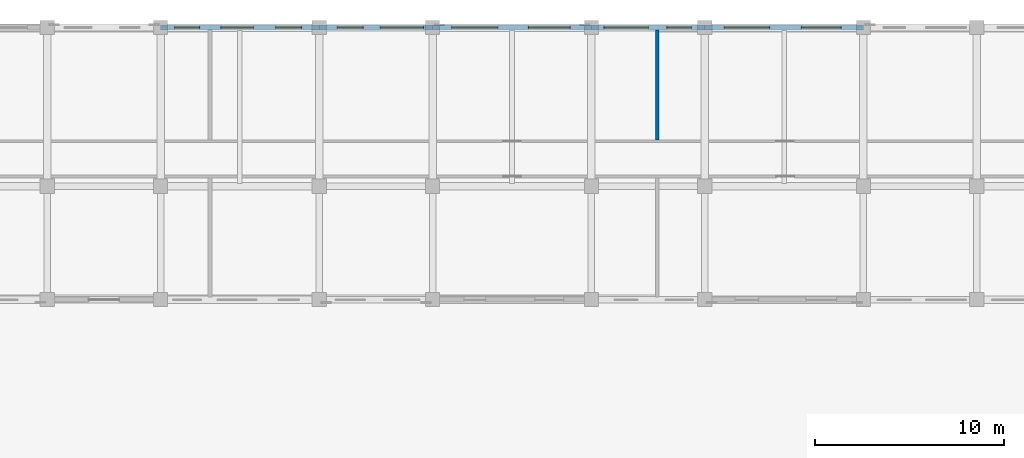
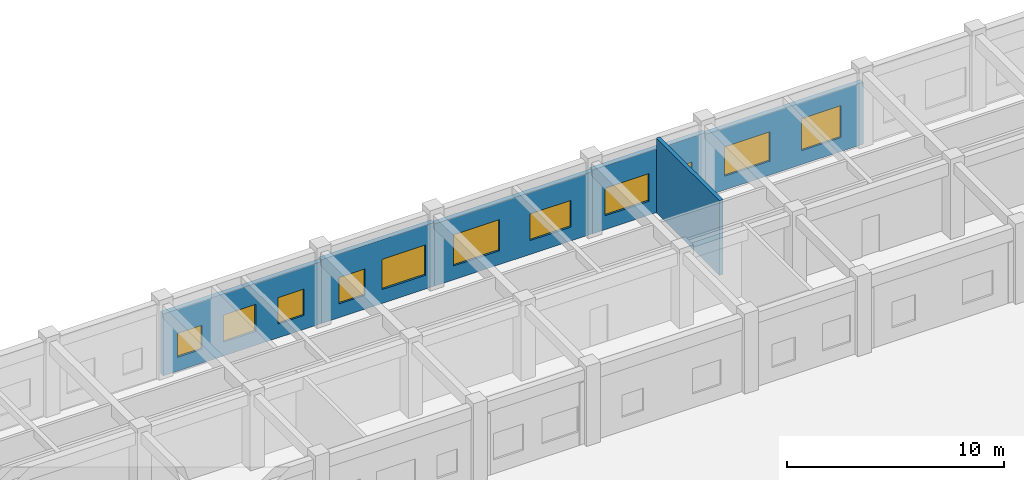
# One storey, part 41 of 67: 11 windows, 6 walls, 11 openings.
"""IFC4 building model written with IfcOpenShell, lengths in metres."""

from ifc_helpers import new_model, si_unit, direction, frame, frame_2d, origin, place, context, subcontext, project, spatial, rectangle, extrude, material, layer, layer_set, type_object, element, fill, save


model = new_model("IFC4")

# Units and contexts
model_context = context("Model", 3, precision=1e-05, world=origin(), true_north=direction((0.0, 1.0)))
body_context = subcontext(model_context, "Body", "Model", "MODEL_VIEW")
ifc_project = project(units=[si_unit("LENGTHUNIT", "METRE"), si_unit("AREAUNIT", "SQUARE_METRE"), si_unit("VOLUMEUNIT", "CUBIC_METRE"), si_unit("PLANEANGLEUNIT", "RADIAN"), si_unit("MASSUNIT", "GRAM", prefix="KILO"), si_unit("THERMODYNAMICTEMPERATUREUNIT", "KELVIN")], contexts=[model_context])

# Site, building, storey
site_placement = place(None, origin())
site = spatial("IfcSite", under=ifc_project, at=site_placement, CompositionType="ELEMENT")
building_placement = place(site_placement, origin())
building = spatial("IfcBuilding", under=site, at=building_placement, Name="Thalorik Housing Commons", CompositionType="ELEMENT")
storey_placement = place(building_placement, origin())
storey = spatial("IfcBuildingStorey", under=building, at=storey_placement, Name="L00", CompositionType="ELEMENT", Elevation=0.0)

# Wall, openings, windows
ifc_material_1 = material(Name="White precast concrete C40/50", Category="concrete")
ifc_layer_1 = layer(ifc_material_1, 0.2548828125, Name="White precast concrete C40/50", Category="concrete")
ifc_layer_set_1 = layer_set([ifc_layer_1], Name="White precast concrete C40/50")
wall_type_1 = type_object("IfcWallType", Name="ARC-WAL-EXT-255", PredefinedType="STANDARD", material=ifc_layer_set_1)
wall_1_placement = place(storey_placement, frame((138.0, 123.60009765625, 0.0), z_axis=(0.0, 0.0, 1.0), x_axis=(-1.0, 0.0, 0.0)))
wall_1 = element("IfcWall", 1, at=wall_1_placement, inside=storey, type_object=wall_type_1, Name="L00 Exterior Wall WAL-EXT-L00-B-0376", PredefinedType="STANDARD", context=body_context, shape_type="SweptSolid", body=[
    extrude(rectangle(XDim=8.39990234375, YDim=0.2548828125, at=frame_2d((4.199951171875, 0.0))), origin(), (0.0, 0.0, 1.0), 3.485107421875),
])
opening_1_placement = place(wall_1_placement, frame((1.179931640625, 0.0, 0.780029296875)))
opening_1 = element("IfcOpeningElement", 2, at=opening_1_placement, cuts=wall_1, Name="Opening W-27", PredefinedType="OPENING", context=body_context, shape_type="SweptSolid", body=[
    extrude(rectangle(XDim=2.10009765625, YDim=1.800048828125, at=frame_2d((1.050048828125, 0.89990234375))), frame((0.0, 0.137451171875, 0.0), z_axis=(0.0, -1.0, 0.0), x_axis=(1.0, 0.0, 0.0)), (0.0, 0.0, 1.0), 0.27490234375),
])
opening_2_placement = place(wall_1_placement, frame((4.969970703125, 0.0, 0.780029296875)))
opening_2 = element("IfcOpeningElement", 3, at=opening_2_placement, cuts=wall_1, Name="Opening W-34", PredefinedType="OPENING", context=body_context, shape_type="SweptSolid", body=[
    extrude(rectangle(XDim=2.39990234375, YDim=1.64990234375, at=frame_2d((1.199951171875, 0.824951171875))), frame((0.0, 0.137451171875, 0.0), z_axis=(0.0, -1.0, 0.0), x_axis=(1.0, 0.0, 0.0)), (0.0, 0.0, 1.0), 0.27490234375),
])
ifc_material_2 = material(Name="Anodised aluminium and solar-control low-E glass", Category="aluminium")
window_type_1 = type_object("IfcWindowType", Name="ARC-WIN-27", PartitioningType="DOUBLE_PANEL_VERTICAL", PredefinedType="WINDOW", material=ifc_material_2)
window_1_placement = place(opening_1_placement, origin())
window_1 = element("IfcWindow", 4, at=window_1_placement, inside=storey, type_object=window_type_1, Name="L00 Facade Window 665", OverallHeight=1.800048828125, OverallWidth=2.10009765625, PartitioningType="DOUBLE_PANEL_VERTICAL", PredefinedType="WINDOW", context=body_context, shape_type="SweptSolid", body=[
    extrude(rectangle(XDim=2.10009765625, YDim=1.800048828125, at=frame_2d((1.050048828125, 0.89990234375))), frame((0.0, 0.030029296875, 0.0), z_axis=(0.0, -1.0, 0.0), x_axis=(1.0, 0.0, 0.0)), (0.0, 0.0, 1.0), 0.06005859375),
])
fill(opening_1, window_1)
window_type_2 = type_object("IfcWindowType", Name="ARC-WIN-34", PartitioningType="DOUBLE_PANEL_VERTICAL", PredefinedType="WINDOW", material=ifc_material_2)
window_2_placement = place(opening_2_placement, origin())
window_2 = element("IfcWindow", 5, at=window_2_placement, inside=storey, type_object=window_type_2, Name="L00 Facade Window 666", OverallHeight=1.64990234375, OverallWidth=2.39990234375, PartitioningType="DOUBLE_PANEL_VERTICAL", PredefinedType="WINDOW", context=body_context, shape_type="SweptSolid", body=[
    extrude(rectangle(XDim=2.39990234375, YDim=1.64990234375, at=frame_2d((1.199951171875, 0.824951171875))), frame((0.0, 0.030029296875, 0.0), z_axis=(0.0, -1.0, 0.0), x_axis=(1.0, 0.0, 0.0)), (0.0, 0.0, 1.0), 0.06005859375),
])
fill(opening_2, window_2)

wall_2_placement = place(storey_placement, frame((129.60009765625, 123.60009765625, 0.0), z_axis=(0.0, 0.0, 1.0), x_axis=(-1.0, 0.0, 0.0)))
wall_2 = element("IfcWall", 6, at=wall_2_placement, inside=storey, type_object=wall_type_1, Name="L00 Exterior Wall WAL-EXT-L00-B-0377", PredefinedType="STANDARD", context=body_context, shape_type="SweptSolid", body=[
    extrude(rectangle(XDim=6.0, YDim=0.2548828125, at=frame_2d((3.0, 0.0))), origin(), (0.0, 0.0, 1.0), 3.5849609375),
])
opening_3_placement = place(wall_2_placement, frame((0.699951171875, 0.0, 0.780029296875)))
opening_3 = element("IfcOpeningElement", 7, at=opening_3_placement, cuts=wall_2, Name="Opening W-06", PredefinedType="OPENING", context=body_context, shape_type="SweptSolid", body=[
    extrude(rectangle(XDim=1.300048828125, YDim=1.39990234375, at=frame_2d((0.64990234375, 0.699951171875))), frame((0.0, 0.137451171875, 0.0), z_axis=(0.0, -1.0, 0.0), x_axis=(1.0, 0.0, 0.0)), (0.0, 0.0, 1.0), 0.27490234375),
])
opening_4_placement = place(wall_2_placement, frame((2.985107421875, 0.0, 0.780029296875)))
opening_4 = element("IfcOpeningElement", 8, at=opening_4_placement, cuts=wall_2, Name="Opening W-33", PredefinedType="OPENING", context=body_context, shape_type="SweptSolid", body=[
    extrude(rectangle(XDim=2.35009765625, YDim=1.550048828125, at=frame_2d((1.175048828125, 0.77490234375))), frame((0.0, 0.137451171875, 0.0), z_axis=(0.0, -1.0, 0.0), x_axis=(1.0, 0.0, 0.0)), (0.0, 0.0, 1.0), 0.27490234375),
])
window_type_3 = type_object("IfcWindowType", Name="ARC-WIN-06", PartitioningType="SINGLE_PANEL", PredefinedType="WINDOW", material=ifc_material_2)
window_3_placement = place(opening_3_placement, origin())
window_3 = element("IfcWindow", 9, at=window_3_placement, inside=storey, type_object=window_type_3, Name="L00 Facade Window 667", OverallHeight=1.39990234375, OverallWidth=1.300048828125, PartitioningType="SINGLE_PANEL", PredefinedType="WINDOW", context=body_context, shape_type="SweptSolid", body=[
    extrude(rectangle(XDim=1.300048828125, YDim=1.39990234375, at=frame_2d((0.64990234375, 0.699951171875))), frame((0.0, 0.030029296875, 0.0), z_axis=(0.0, -1.0, 0.0), x_axis=(1.0, 0.0, 0.0)), (0.0, 0.0, 1.0), 0.06005859375),
])
fill(opening_3, window_3)
window_type_4 = type_object("IfcWindowType", Name="ARC-WIN-33", PartitioningType="DOUBLE_PANEL_VERTICAL", PredefinedType="WINDOW", material=ifc_material_2)
window_4_placement = place(opening_4_placement, origin())
window_4 = element("IfcWindow", 10, at=window_4_placement, inside=storey, type_object=window_type_4, Name="L00 Facade Window 668", OverallHeight=1.550048828125, OverallWidth=2.35009765625, PartitioningType="DOUBLE_PANEL_VERTICAL", PredefinedType="WINDOW", context=body_context, shape_type="SweptSolid", body=[
    extrude(rectangle(XDim=2.35009765625, YDim=1.550048828125, at=frame_2d((1.175048828125, 0.77490234375))), frame((0.0, 0.030029296875, 0.0), z_axis=(0.0, -1.0, 0.0), x_axis=(1.0, 0.0, 0.0)), (0.0, 0.0, 1.0), 0.06005859375),
])
fill(opening_4, window_4)

wall_3_placement = place(storey_placement, frame((123.60009765625, 123.60009765625, 0.0), z_axis=(0.0, 0.0, 1.0), x_axis=(-1.0, 0.0, 0.0)))
wall_3 = element("IfcWall", 11, at=wall_3_placement, inside=storey, type_object=wall_type_1, Name="L00 Exterior Wall WAL-EXT-L00-B-0378", PredefinedType="STANDARD", context=body_context, shape_type="SweptSolid", body=[
    extrude(rectangle(XDim=8.400146484375, YDim=0.2548828125, at=frame_2d((4.2001953125, 0.0))), origin(), (0.0, 0.0, 1.0), 3.485107421875),
])
opening_5_placement = place(wall_3_placement, frame((1.1298828125, 0.0, 0.780029296875)))
opening_5 = element("IfcOpeningElement", 12, at=opening_5_placement, cuts=wall_3, Name="Opening W-29", PredefinedType="OPENING", context=body_context, shape_type="SweptSolid", body=[
    extrude(rectangle(XDim=2.199951171875, YDim=1.5, at=frame_2d((1.10009765625, 0.75))), frame((0.0, 0.137451171875, 0.0), z_axis=(0.0, -1.0, 0.0), x_axis=(1.0, 0.0, 0.0)), (0.0, 0.0, 1.0), 0.27490234375),
])
opening_6_placement = place(wall_3_placement, frame((4.945068359375, 0.0, 0.780029296875)))
opening_6 = element("IfcOpeningElement", 13, at=opening_6_placement, cuts=wall_3, Name="Opening W-36", PredefinedType="OPENING", context=body_context, shape_type="SweptSolid", body=[
    extrude(rectangle(XDim=2.449951171875, YDim=1.75, at=frame_2d((1.22509765625, 0.875))), frame((0.0, 0.137451171875, 0.0), z_axis=(0.0, -1.0, 0.0), x_axis=(1.0, 0.0, 0.0)), (0.0, 0.0, 1.0), 0.27490234375),
])
window_type_5 = type_object("IfcWindowType", Name="ARC-WIN-29", PartitioningType="DOUBLE_PANEL_VERTICAL", PredefinedType="WINDOW", material=ifc_material_2)
window_5_placement = place(opening_5_placement, origin())
window_5 = element("IfcWindow", 14, at=window_5_placement, inside=storey, type_object=window_type_5, Name="L00 Facade Window 669", OverallHeight=1.5, OverallWidth=2.199951171875, PartitioningType="DOUBLE_PANEL_VERTICAL", PredefinedType="WINDOW", context=body_context, shape_type="SweptSolid", body=[
    extrude(rectangle(XDim=2.199951171875, YDim=1.5, at=frame_2d((1.10009765625, 0.75))), frame((0.0, 0.030029296875, 0.0), z_axis=(0.0, -1.0, 0.0), x_axis=(1.0, 0.0, 0.0)), (0.0, 0.0, 1.0), 0.06005859375),
])
fill(opening_5, window_5)
window_type_6 = type_object("IfcWindowType", Name="ARC-WIN-36", PartitioningType="DOUBLE_PANEL_VERTICAL", PredefinedType="WINDOW", material=ifc_material_2)
window_6_placement = place(opening_6_placement, origin())
window_6 = element("IfcWindow", 15, at=window_6_placement, inside=storey, type_object=window_type_6, Name="L00 Facade Window 670", OverallHeight=1.75, OverallWidth=2.449951171875, PartitioningType="DOUBLE_PANEL_VERTICAL", PredefinedType="WINDOW", context=body_context, shape_type="SweptSolid", body=[
    extrude(rectangle(XDim=2.449951171875, YDim=1.75, at=frame_2d((1.22509765625, 0.875))), frame((0.0, 0.030029296875, 0.0), z_axis=(0.0, -1.0, 0.0), x_axis=(1.0, 0.0, 0.0)), (0.0, 0.0, 1.0), 0.06005859375),
])
fill(opening_6, window_6)

wall_4_placement = place(storey_placement, frame((115.199951171875, 123.60009765625, 0.0), z_axis=(0.0, 0.0, 1.0), x_axis=(-1.0, 0.0, 0.0)))
wall_4 = element("IfcWall", 16, at=wall_4_placement, inside=storey, type_object=wall_type_1, Name="L00 Exterior Wall WAL-EXT-L00-B-0379", PredefinedType="STANDARD", context=body_context, shape_type="SweptSolid", body=[
    extrude(rectangle(XDim=6.0, YDim=0.2548828125, at=frame_2d((3.0, 0.0))), origin(), (0.0, 0.0, 1.0), 3.5849609375),
])
opening_7_placement = place(wall_4_placement, frame((0.47998046875, 0.0, 0.780029296875)))
opening_7 = element("IfcOpeningElement", 17, at=opening_7_placement, cuts=wall_4, Name="Opening W-32", PredefinedType="OPENING", context=body_context, shape_type="SweptSolid", body=[
    extrude(rectangle(XDim=2.300048828125, YDim=1.699951171875, at=frame_2d((1.14990234375, 0.85009765625))), frame((0.0, 0.137451171875, 0.0), z_axis=(0.0, -1.0, 0.0), x_axis=(1.0, 0.0, 0.0)), (0.0, 0.0, 1.0), 0.27490234375),
])
opening_8_placement = place(wall_4_placement, frame((3.679931640625, 0.0, 0.780029296875)))
opening_8 = element("IfcOpeningElement", 18, at=opening_8_placement, cuts=wall_4, Name="Opening W-49", PredefinedType="OPENING", context=body_context, shape_type="SweptSolid", body=[
    extrude(rectangle(XDim=1.3798828125, YDim=1.47998046875, at=frame_2d((0.68994140625, 0.739990234375))), frame((0.0, 0.137451171875, 0.0), z_axis=(0.0, -1.0, 0.0), x_axis=(1.0, 0.0, 0.0)), (0.0, 0.0, 1.0), 0.27490234375),
])
window_type_7 = type_object("IfcWindowType", Name="ARC-WIN-32", PartitioningType="DOUBLE_PANEL_VERTICAL", PredefinedType="WINDOW", material=ifc_material_2)
window_7_placement = place(opening_7_placement, origin())
window_7 = element("IfcWindow", 19, at=window_7_placement, inside=storey, type_object=window_type_7, Name="L00 Facade Window 671", OverallHeight=1.699951171875, OverallWidth=2.300048828125, PartitioningType="DOUBLE_PANEL_VERTICAL", PredefinedType="WINDOW", context=body_context, shape_type="SweptSolid", body=[
    extrude(rectangle(XDim=2.300048828125, YDim=1.699951171875, at=frame_2d((1.14990234375, 0.85009765625))), frame((0.0, 0.030029296875, 0.0), z_axis=(0.0, -1.0, 0.0), x_axis=(1.0, 0.0, 0.0)), (0.0, 0.0, 1.0), 0.06005859375),
])
fill(opening_7, window_7)
window_type_8 = type_object("IfcWindowType", Name="ARC-WIN-49", PartitioningType="SINGLE_PANEL", PredefinedType="WINDOW", material=ifc_material_2)
window_8_placement = place(opening_8_placement, origin())
window_8 = element("IfcWindow", 20, at=window_8_placement, inside=storey, type_object=window_type_8, Name="L00 Facade Window 672", OverallHeight=1.47998046875, OverallWidth=1.3798828125, PartitioningType="SINGLE_PANEL", PredefinedType="WINDOW", context=body_context, shape_type="SweptSolid", body=[
    extrude(rectangle(XDim=1.3798828125, YDim=1.47998046875, at=frame_2d((0.68994140625, 0.739990234375))), frame((0.0, 0.030029296875, 0.0), z_axis=(0.0, -1.0, 0.0), x_axis=(1.0, 0.0, 0.0)), (0.0, 0.0, 1.0), 0.06005859375),
])
fill(opening_8, window_8)

wall_5_placement = place(storey_placement, frame((109.199951171875, 123.60009765625, 0.0), z_axis=(0.0, 0.0, 1.0), x_axis=(-1.0, 0.0, 0.0)))
wall_5 = element("IfcWall", 21, at=wall_5_placement, inside=storey, type_object=wall_type_1, Name="L00 Exterior Wall WAL-EXT-L00-B-0380", PredefinedType="STANDARD", context=body_context, shape_type="SweptSolid", body=[
    extrude(rectangle(XDim=8.39990234375, YDim=0.2548828125, at=frame_2d((4.199951171875, 0.0))), origin(), (0.0, 0.0, 1.0), 3.485107421875),
])
opening_9_placement = place(wall_5_placement, frame((0.9326171875, 0.0, 0.780029296875)))
opening_9 = element("IfcOpeningElement", 22, at=opening_9_placement, cuts=wall_5, Name="Opening W-49", PredefinedType="OPENING", context=body_context, shape_type="SweptSolid", body=[
    extrude(rectangle(XDim=1.3798828125, YDim=1.47998046875, at=frame_2d((0.68994140625, 0.739990234375))), frame((0.0, 0.137451171875, 0.0), z_axis=(0.0, -1.0, 0.0), x_axis=(1.0, 0.0, 0.0)), (0.0, 0.0, 1.0), 0.27490234375),
])
opening_10_placement = place(wall_5_placement, frame((3.487548828125, 0.0, 0.780029296875)))
opening_10 = element("IfcOpeningElement", 23, at=opening_10_placement, cuts=wall_5, Name="Opening W-56", PredefinedType="OPENING", context=body_context, shape_type="SweptSolid", body=[
    extrude(rectangle(XDim=1.719970703125, YDim=1.52001953125, at=frame_2d((0.85986328125, 0.760009765625))), frame((0.0, 0.137451171875, 0.0), z_axis=(0.0, -1.0, 0.0), x_axis=(1.0, 0.0, 0.0)), (0.0, 0.0, 1.0), 0.27490234375),
])
opening_11_placement = place(wall_5_placement, frame((6.3349609375, 0.0, 0.780029296875)))
opening_11 = element("IfcOpeningElement", 24, at=opening_11_placement, cuts=wall_5, Name="Opening W-48", PredefinedType="OPENING", context=body_context, shape_type="SweptSolid", body=[
    extrude(rectangle(XDim=1.320068359375, YDim=1.35009765625, at=frame_2d((0.66015625, 0.675048828125))), frame((0.0, 0.137451171875, 0.0), z_axis=(0.0, -1.0, 0.0), x_axis=(1.0, 0.0, 0.0)), (0.0, 0.0, 1.0), 0.27490234375),
])
window_type_9 = type_object("IfcWindowType", Name="ARC-WIN-48", PartitioningType="SINGLE_PANEL", PredefinedType="WINDOW", material=ifc_material_2)
window_9_placement = place(opening_11_placement, origin())
window_9 = element("IfcWindow", 25, at=window_9_placement, inside=storey, type_object=window_type_9, Name="L00 Facade Window 675", OverallHeight=1.35009765625, OverallWidth=1.320068359375, PartitioningType="SINGLE_PANEL", PredefinedType="WINDOW", context=body_context, shape_type="SweptSolid", body=[
    extrude(rectangle(XDim=1.320068359375, YDim=1.35009765625, at=frame_2d((0.66015625, 0.675048828125))), frame((0.0, 0.030029296875, 0.0), z_axis=(0.0, -1.0, 0.0), x_axis=(1.0, 0.0, 0.0)), (0.0, 0.0, 1.0), 0.06005859375),
])
fill(opening_11, window_9)
window_10_placement = place(opening_9_placement, origin())
window_10 = element("IfcWindow", 26, at=window_10_placement, inside=storey, type_object=window_type_8, Name="L00 Facade Window 673", OverallHeight=1.47998046875, OverallWidth=1.3798828125, PartitioningType="SINGLE_PANEL", PredefinedType="WINDOW", context=body_context, shape_type="SweptSolid", body=[
    extrude(rectangle(XDim=1.3798828125, YDim=1.47998046875, at=frame_2d((0.68994140625, 0.739990234375))), frame((0.0, 0.030029296875, 0.0), z_axis=(0.0, -1.0, 0.0), x_axis=(1.0, 0.0, 0.0)), (0.0, 0.0, 1.0), 0.06005859375),
])
fill(opening_9, window_10)
window_type_10 = type_object("IfcWindowType", Name="ARC-WIN-56", PartitioningType="DOUBLE_PANEL_VERTICAL", PredefinedType="WINDOW", material=ifc_material_2)
window_11_placement = place(opening_10_placement, origin())
window_11 = element("IfcWindow", 27, at=window_11_placement, inside=storey, type_object=window_type_10, Name="L00 Facade Window 674", OverallHeight=1.52001953125, OverallWidth=1.719970703125, PartitioningType="DOUBLE_PANEL_VERTICAL", PredefinedType="WINDOW", context=body_context, shape_type="SweptSolid", body=[
    extrude(rectangle(XDim=1.719970703125, YDim=1.52001953125, at=frame_2d((0.85986328125, 0.760009765625))), frame((0.0, 0.030029296875, 0.0), z_axis=(0.0, -1.0, 0.0), x_axis=(1.0, 0.0, 0.0)), (0.0, 0.0, 1.0), 0.06005859375),
])
fill(opening_10, window_11)

# Wall
ifc_material_3 = material(Name="Precast concrete C40/50 acoustic wall", Category="concrete")
ifc_layer_2 = layer(ifc_material_3, 0.199951171875, Name="Precast concrete C40/50 acoustic wall", Category="concrete")
ifc_layer_set_2 = layer_set([ifc_layer_2], Name="Precast concrete C40/50 acoustic wall")
wall_type_2 = type_object("IfcWallType", Name="ARC-WAL-PARTY-200", PredefinedType="PARTITIONING", material=ifc_layer_set_2)
wall_6_placement = place(storey_placement, frame((127.090087890625, 117.656982421875, 0.0), z_axis=(0.0, 0.0, 1.0), x_axis=(0.0, 1.0, 0.0)))
element("IfcWall", 28, at=wall_6_placement, inside=storey, type_object=wall_type_2, Name="L00 Inter-Tenancy Wall 2B", PredefinedType="PARTITIONING", context=body_context, shape_type="SweptSolid", body=[
    extrude(rectangle(XDim=5.8134765625, YDim=0.199951171875, at=frame_2d((2.90673828125, 0.0))), origin(), (0.0, 0.0, 1.0), 4.199951171875),
])

save(model, "model.ifc")
